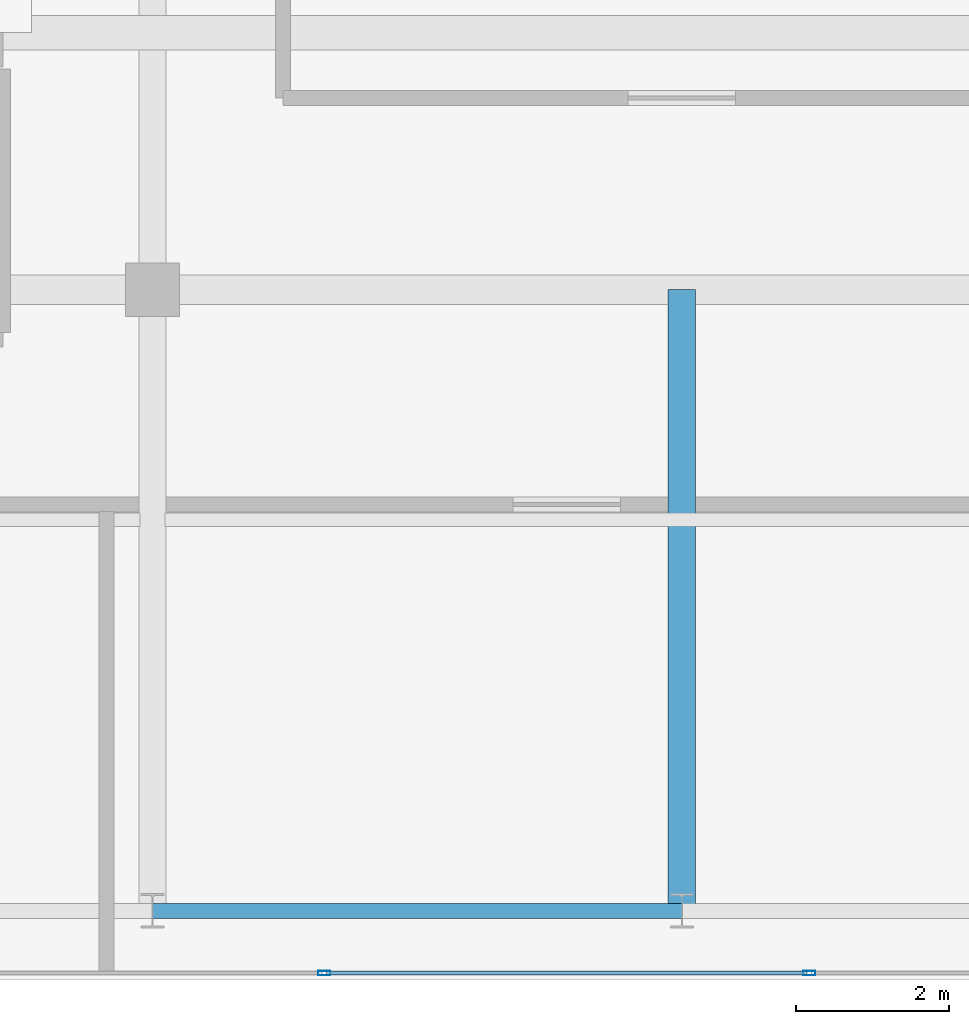
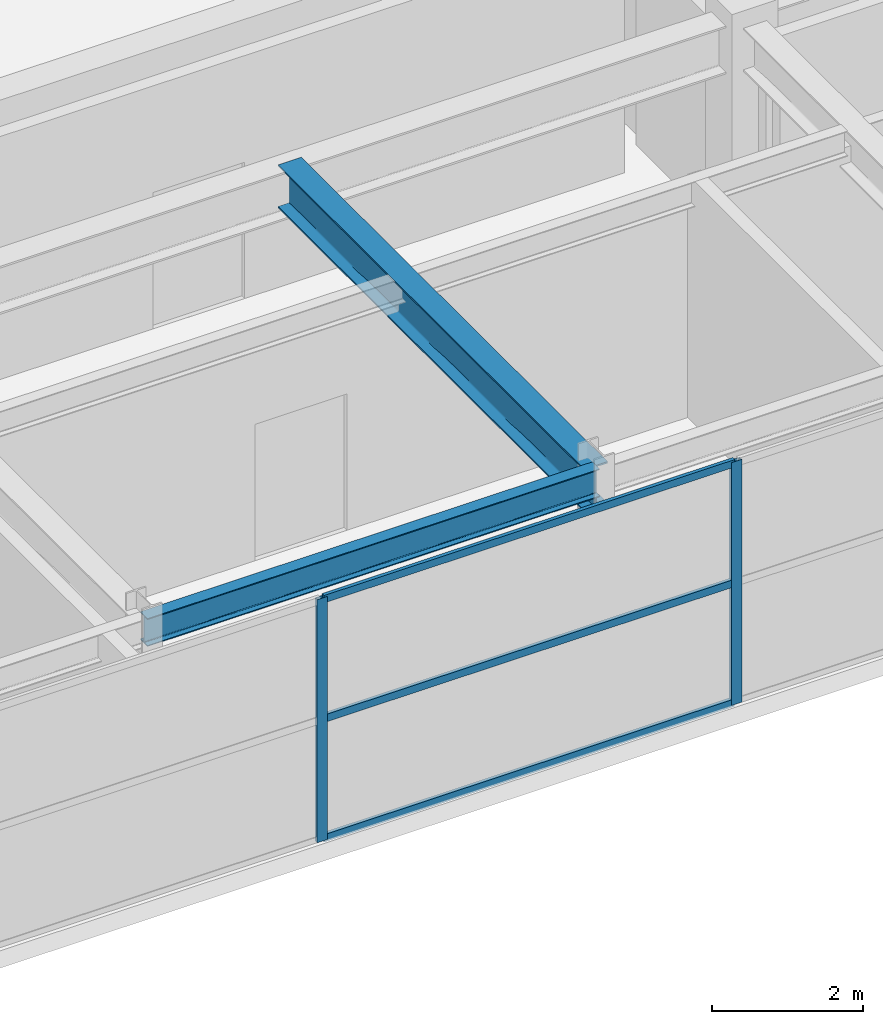
# One storey, part 7 of 32: 5 members, 2 beams, 1 element without a shape of its own.
"""IFC4 building model written with IfcOpenShell, lengths in metres."""

from ifc_helpers import new_model, si_unit, direction, frame, origin, origin_2d, place, context, subcontext, project, spatial, hollow_rectangle, i_section, extrude, source, transform, mapped, material, layer, layer_set, material_profile, profile_set, type_object, element, aggregate, save


model = new_model("IFC4")

# Units and contexts
model_context = context("Model", 3, precision=1e-05, world=origin(), true_north=direction((0.0, 1.0)))
body_context = subcontext(model_context, "Body", "Model", "MODEL_VIEW")
ifc_project = project(units=[si_unit("LENGTHUNIT", "METRE"), si_unit("AREAUNIT", "SQUARE_METRE"), si_unit("VOLUMEUNIT", "CUBIC_METRE"), si_unit("PLANEANGLEUNIT", "RADIAN"), si_unit("MASSUNIT", "GRAM", prefix="KILO")], contexts=[model_context])

# Site, building, storey
site_placement = place(None, origin())
site = spatial("IfcSite", under=ifc_project, at=site_placement, CompositionType="ELEMENT")
building_placement = place(site_placement, origin())
building = spatial("IfcBuilding", under=site, at=building_placement, Name="Khoralis Quay Care Tower", CompositionType="ELEMENT")
storey_placement = place(building_placement, frame((0.0, 0.0, 306.300048828125)))
storey = spatial("IfcBuildingStorey", under=building, at=storey_placement, Name="L80", CompositionType="ELEMENT", Elevation=306.300048828125)

# Beams
ifc_material_1 = material(Name="Steel S355", Category="steel")
ifc_material_profile_1 = material_profile(ifc_material_1, i_section(OverallWidth=0.18994140625, OverallDepth=0.449951171875, WebThickness=0.009521484375, FlangeThickness=0.0146484375, FilletRadius=0.02099609375, at=origin_2d()), Name="Steel S355")
ifc_profile_set_1 = profile_set([ifc_material_profile_1], Name="Steel S355")
beam_type_1 = type_object("IfcBeamType", Name="BM-IPE450", PredefinedType="SPANDREL", material=ifc_profile_set_1)
shared_shape_1 = source(origin(), body_context, "Body", "SweptSolid", [
    extrude(i_section(OverallWidth=0.18994140625, OverallDepth=0.449951171875, WebThickness=0.009521484375, FlangeThickness=0.0146484375, FilletRadius=0.02099609375, at=origin_2d()), origin(), (0.0, 0.0, 1.0), 6.89990234375),
])
beam_1_placement = place(storey_placement, frame((17.10009765625, 3.89990234375, 3.695068359375), z_axis=(1.0, 0.0, 0.0), x_axis=(0.0, 1.0, 0.0)))
element("IfcBeam", 1, at=beam_1_placement, inside=storey, type_object=beam_type_1, Name="BM-TSP-L80-02", PredefinedType="SPANDREL", context=body_context, shape_type="MappedRepresentation", body=[
    mapped(shared_shape_1, transform((0.0, 0.0, 0.0), scale=1.0)),
])
ifc_material_profile_2 = material_profile(ifc_material_1, i_section(OverallWidth=0.35498046875, OverallDepth=0.695068359375, WebThickness=0.015380859375, FlangeThickness=0.02490234375, FilletRadius=0.02001953125, at=origin_2d()), Name="Steel S355")
ifc_profile_set_2 = profile_set([ifc_material_profile_2], Name="Steel S355")
beam_type_2 = type_object("IfcBeamType", Name="BM-W690X217", PredefinedType="BEAM", material=ifc_profile_set_2)
shared_shape_2 = source(origin(), body_context, "Body", "SweptSolid", [
    extrude(i_section(OverallWidth=0.35498046875, OverallDepth=0.695068359375, WebThickness=0.015380859375, FlangeThickness=0.02490234375, FilletRadius=0.02001953125, at=origin_2d()), origin(), (0.0, 0.0, 1.0), 8.10009765625),
])
beam_2_placement = place(storey_placement, frame((24.0, 3.89990234375, 3.572509765625), z_axis=(0.0, 1.0, 0.0), x_axis=(-1.0, 0.0, 0.0)))
element("IfcBeam", 2, at=beam_2_placement, inside=storey, type_object=beam_type_2, Name="BM-TGYS-L80-240", PredefinedType="BEAM", context=body_context, shape_type="MappedRepresentation", body=[
    mapped(shared_shape_2, transform((0.0, 0.0, 0.0), scale=1.0)),
])

# Curtain wall, members
ifc_material_2 = material(Name="Pale anodised aluminium", Category="aluminium")
ifc_layer = layer(ifc_material_2, 0.199951171875)
ifc_layer_set = layer_set([ifc_layer], Name="Pale anodised aluminium")
curtain_wall_type = type_object("IfcCurtainWallType", Name="CW-SYS-LANTERN", PredefinedType="NOTDEFINED", material=ifc_layer_set)
curtain_wall_placement = place(storey_placement, origin())
curtain_wall = element("IfcCurtainWall", 3, at=curtain_wall_placement, inside=storey, type_object=curtain_wall_type, Name="L80 Unitised Curtain Wall CW-LN-L80-01", PredefinedType="NOTDEFINED")
ifc_material_profile_3 = material_profile(ifc_material_2, hollow_rectangle(XDim=0.054931640625, YDim=0.1201171875, WallThickness=0.00390625, at=origin_2d()), Name="Pale anodised aluminium")
ifc_profile_set_3 = profile_set([ifc_material_profile_3], Name="Pale anodised aluminium")
member_type_1 = type_object("IfcMemberType", Name="CW-TRN-120", PredefinedType="USERDEFINED", material=ifc_profile_set_3)
shared_shape_3 = source(origin(), body_context, "Body", "SweptSolid", [
    extrude(hollow_rectangle(XDim=0.054931640625, YDim=0.1201171875, WallThickness=0.00390625, at=origin_2d()), origin(), (0.0, 0.0, 1.0), 6.26416015625),
])
member_1_placement = place(storey_placement, frame((19.367919921875, 3.090087890625, 0.030029296875), z_axis=(1.0, 0.0, 0.0), x_axis=(0.0, 1.0, 0.0)))
member_1 = element("IfcMember", 4, at=member_1_placement, type_object=member_type_1, Name="CW5 transom 3.1", ObjectType="TRANSOM", PredefinedType="USERDEFINED", context=body_context, shape_type="MappedRepresentation", body=[
    mapped(shared_shape_3, transform((0.0, 0.0, 0.0), scale=1.0)),
])
member_2_placement = place(storey_placement, frame((19.367919921875, 3.090087890625, 1.9599609375), z_axis=(1.0, 0.0, 0.0), x_axis=(0.0, 1.0, 0.0)))
member_2 = element("IfcMember", 5, at=member_2_placement, type_object=member_type_1, Name="CW5 transom 3.2", ObjectType="TRANSOM", PredefinedType="USERDEFINED", context=body_context, shape_type="MappedRepresentation", body=[
    mapped(shared_shape_3, transform((0.0, 0.0, 0.0), scale=1.0)),
])
member_3_placement = place(storey_placement, frame((19.367919921875, 3.090087890625, 3.889892578125), z_axis=(1.0, 0.0, 0.0), x_axis=(0.0, 1.0, 0.0)))
member_3 = element("IfcMember", 6, at=member_3_placement, type_object=member_type_1, Name="CW5 transom 3.3", ObjectType="TRANSOM", PredefinedType="USERDEFINED", context=body_context, shape_type="MappedRepresentation", body=[
    mapped(shared_shape_3, transform((0.0, 0.0, 0.0), scale=1.0)),
])
ifc_material_profile_4 = material_profile(ifc_material_2, hollow_rectangle(XDim=0.06005859375, YDim=0.159912109375, WallThickness=0.00390625, at=origin_2d()), Name="Pale anodised aluminium")
ifc_profile_set_4 = profile_set([ifc_material_profile_4], Name="Pale anodised aluminium")
member_type_2 = type_object("IfcMemberType", Name="CW-MUL-160", PredefinedType="MULLION", material=ifc_profile_set_4)
shared_shape_4 = source(origin(), body_context, "Body", "SweptSolid", [
    extrude(hollow_rectangle(XDim=0.06005859375, YDim=0.159912109375, WallThickness=0.00390625, at=origin_2d()), origin(), (0.0, 0.0, 1.0), 3.919921875),
])
member_4_placement = place(storey_placement, frame((19.337890625, 3.090087890625, 0.0), z_axis=(0.0, 0.0, 1.0), x_axis=(0.0, 1.0, 0.0)))
member_4 = element("IfcMember", 7, at=member_4_placement, type_object=member_type_2, Name="CW5 mullion 3", PredefinedType="MULLION", context=body_context, shape_type="MappedRepresentation", body=[
    mapped(shared_shape_4, transform((0.0, 0.0, 0.0), scale=1.0)),
])
member_5_placement = place(storey_placement, frame((25.662109375, 3.090087890625, 0.0), z_axis=(0.0, 0.0, 1.0), x_axis=(0.0, 1.0, 0.0)))
member_5 = element("IfcMember", 8, at=member_5_placement, type_object=member_type_2, Name="CW5 mullion 4", PredefinedType="MULLION", context=body_context, shape_type="MappedRepresentation", body=[
    mapped(shared_shape_4, transform((0.0, 0.0, 0.0), scale=1.0)),
])
aggregate(curtain_wall, [member_4, member_5, member_1, member_2, member_3])

save(model, "model.ifc")
